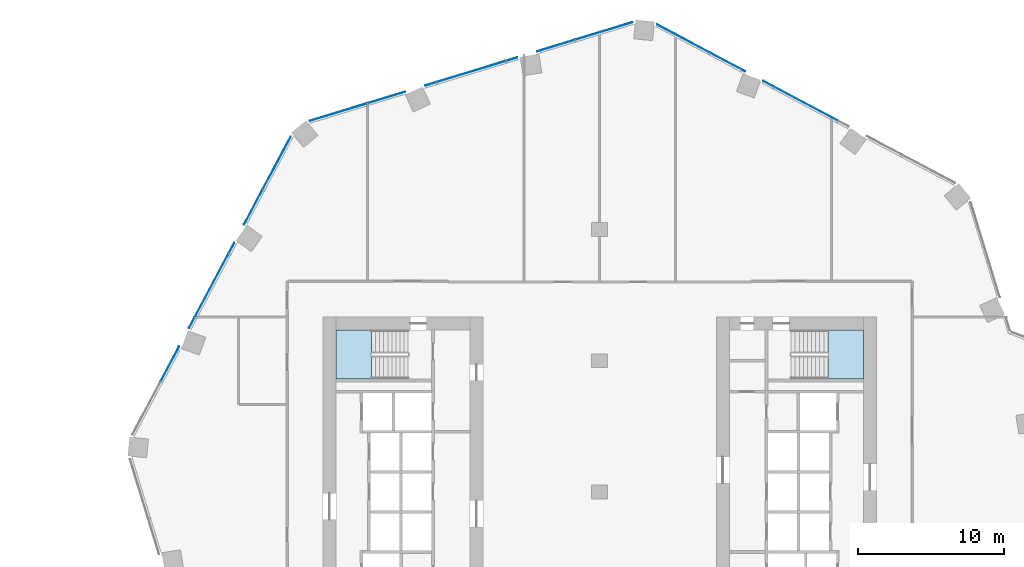
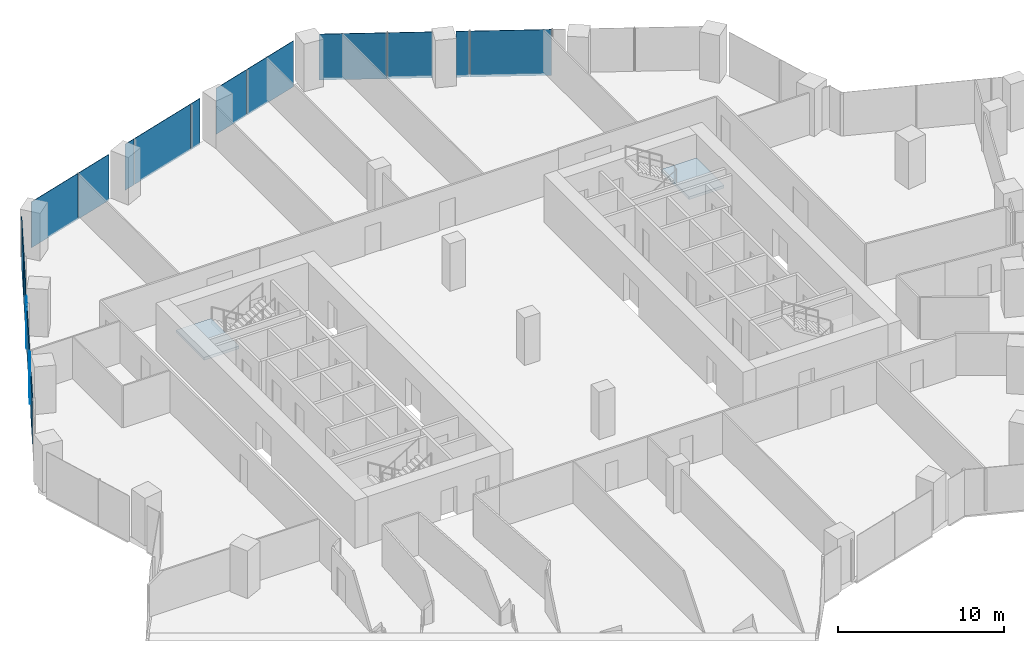
# One storey, part 21 of 31: 17 plates, 2 slabs, 5 elements without a shape of their own.
"""IFC4 building model written with IfcOpenShell, lengths in metres."""

from ifc_helpers import new_model, si_unit, direction, frame, origin, origin_2d, place, context, subcontext, project, spatial, polyline, rectangle, outline, extrude, material, layer, layer_set, type_object, element, aggregate, save


model = new_model("IFC4")

# Units and contexts
model_context = context("Model", 3, precision=1e-05, world=origin(), true_north=direction((0.0, 1.0)))
body_context = subcontext(model_context, "Body", "Model", "MODEL_VIEW")
ifc_project = project(units=[si_unit("LENGTHUNIT", "METRE"), si_unit("AREAUNIT", "SQUARE_METRE"), si_unit("VOLUMEUNIT", "CUBIC_METRE"), si_unit("PLANEANGLEUNIT", "RADIAN"), si_unit("MASSUNIT", "GRAM", prefix="KILO")], contexts=[model_context])

# Site, building, storey
site_placement = place(None, origin())
site = spatial("IfcSite", under=ifc_project, at=site_placement, CompositionType="ELEMENT")
building_placement = place(site_placement, origin())
building = spatial("IfcBuilding", under=site, at=building_placement, Name="Orlundy Tower", CompositionType="ELEMENT")
storey_placement = place(building_placement, frame((0.0, 0.0, 84.199951171875)))
storey = spatial("IfcBuildingStorey", under=building, at=storey_placement, Name="L20", CompositionType="ELEMENT", Elevation=84.199951171875)

# Curtain wall, plates
ifc_material_1 = material(Name="Aluminium bronze anodised", Category="aluminium")
curtain_wall_type = type_object("IfcCurtainWallType", Name="CW1 wall", PredefinedType="NOTDEFINED", material=ifc_material_1)
curtain_wall_1_placement = place(storey_placement, origin())
curtain_wall_1 = element("IfcCurtainWall", 1, at=curtain_wall_1_placement, inside=storey, type_object=curtain_wall_type, Name="CW1 run 02", PredefinedType="NOTDEFINED")
ifc_material_2 = material(Name="Tinted glass", Category="glass")
ifc_layer_1 = layer(ifc_material_2, 0.031982421875)
ifc_layer_set_1 = layer_set([ifc_layer_1], Name="CW1 glass panel 32")
plate_type = type_object("IfcPlateType", Name="CW1 glass panel 32", PredefinedType="CURTAIN_PANEL", material=ifc_layer_set_1)
plate_1_placement = place(storey_placement, frame((-29.489501953125, 8.788818359375, -0.27978515625), z_axis=(0.0, 0.0, 1.0), x_axis=(0.469445471129, 0.882961465544, 0.0)))
plate_1 = element("IfcPlate", 2, at=plate_1_placement, type_object=plate_type, Name="CW1 panel", PredefinedType="CURTAIN_PANEL", context=body_context, shape_type="SweptSolid", body=[
    extrude(rectangle(XDim=2.69287109375, YDim=0.031982421875, at=origin_2d()), origin(), (0.0, 0.0, 1.0), 3.3798828125),
])
plate_2_placement = place(storey_placement, frame((-27.998779296875, 11.593017578125, -0.27978515625), z_axis=(0.0, 0.0, 1.0), x_axis=(0.469445471129, 0.882961465544, 0.0)))
plate_2 = element("IfcPlate", 3, at=plate_2_placement, type_object=plate_type, Name="CW1 panel", PredefinedType="CURTAIN_PANEL", context=body_context, shape_type="SweptSolid", body=[
    extrude(rectangle(XDim=0.79638671875, YDim=0.031982421875, at=origin_2d()), origin(), (0.0, 0.0, 1.0), 3.3798828125),
])
plate_3_placement = place(storey_placement, frame((-26.63330078125, 14.160888671875, -0.27978515625), z_axis=(0.0, 0.0, 1.0), x_axis=(0.469445471129, 0.882961465544, 0.0)))
plate_3 = element("IfcPlate", 4, at=plate_3_placement, type_object=plate_type, Name="CW1 panel", PredefinedType="CURTAIN_PANEL", context=body_context, shape_type="SweptSolid", body=[
    extrude(rectangle(XDim=4.920654296875, YDim=0.031982421875, at=origin_2d()), origin(), (0.0, 0.0, 1.0), 3.3798828125),
])
plate_4_placement = place(storey_placement, frame((-25.267822265625, 16.729248046875, -0.27978515625), z_axis=(0.0, 0.0, 1.0), x_axis=(0.469445471129, 0.882961465544, 0.0)))
plate_4 = element("IfcPlate", 5, at=plate_4_placement, type_object=plate_type, Name="CW1 panel", PredefinedType="CURTAIN_PANEL", context=body_context, shape_type="SweptSolid", body=[
    extrude(rectangle(XDim=0.796875, YDim=0.031982421875, at=origin_2d()), origin(), (0.0, 0.0, 1.0), 3.3798828125),
])
plate_5_placement = place(storey_placement, frame((-23.776123046875, 19.534912109375, -0.27978515625), z_axis=(0.0, 0.0, 1.0), x_axis=(0.469445471129, 0.882961465544, 0.0)))
plate_5 = element("IfcPlate", 6, at=plate_5_placement, type_object=plate_type, Name="CW1 panel", PredefinedType="CURTAIN_PANEL", context=body_context, shape_type="SweptSolid", body=[
    extrude(rectangle(XDim=2.68896484375, YDim=0.031982421875, at=origin_2d()), origin(), (0.0, 0.0, 1.0), 3.3798828125),
])
plate_6_placement = place(storey_placement, frame((-22.160400390625, 22.57373046875, -0.27978515625), z_axis=(0.0, 0.0, 1.0), x_axis=(0.469445471129, 0.882961465544, 0.0)))
plate_6 = element("IfcPlate", 7, at=plate_6_placement, type_object=plate_type, Name="CW1 panel", PredefinedType="CURTAIN_PANEL", context=body_context, shape_type="SweptSolid", body=[
    extrude(rectangle(XDim=4.09423828125, YDim=0.031982421875, at=origin_2d()), origin(), (0.0, 0.0, 1.0), 3.3798828125),
])
aggregate(curtain_wall_1, [plate_1, plate_2, plate_3, plate_4, plate_5, plate_6])

curtain_wall_2_placement = place(storey_placement, origin())
curtain_wall_2 = element("IfcCurtainWall", 8, at=curtain_wall_2_placement, inside=storey, type_object=curtain_wall_type, Name="CW1 run 03", PredefinedType="NOTDEFINED")
plate_7_placement = place(storey_placement, frame((-17.930419921875, 26.060546875, -0.27978515625), z_axis=(0.0, 0.0, 1.0), x_axis=(0.956308143364, 0.292360624804, 0.0)))
plate_7 = element("IfcPlate", 9, at=plate_7_placement, type_object=plate_type, Name="CW1 panel", PredefinedType="CURTAIN_PANEL", context=body_context, shape_type="SweptSolid", body=[
    extrude(rectangle(XDim=4.092529296875, YDim=0.031982421875, at=origin_2d()), origin(), (0.0, 0.0, 1.0), 3.3798828125),
])
plate_8_placement = place(storey_placement, frame((-14.64111328125, 27.066162109375, -0.27978515625), z_axis=(0.0, 0.0, 1.0), x_axis=(0.956308143364, 0.292360624804, 0.0)))
plate_8 = element("IfcPlate", 10, at=plate_8_placement, type_object=plate_type, Name="CW1 panel", PredefinedType="CURTAIN_PANEL", context=body_context, shape_type="SweptSolid", body=[
    extrude(rectangle(XDim=2.686767578125, YDim=0.031982421875, at=origin_2d()), origin(), (0.0, 0.0, 1.0), 3.3798828125),
])
plate_9_placement = place(storey_placement, frame((-11.600830078125, 27.99560546875, -0.27978515625), z_axis=(0.0, 0.0, 1.0), x_axis=(0.956308143364, 0.292360624804, 0.0)))
plate_9 = element("IfcPlate", 11, at=plate_9_placement, type_object=plate_type, Name="CW1 panel", PredefinedType="CURTAIN_PANEL", context=body_context, shape_type="SweptSolid", body=[
    extrude(rectangle(XDim=0.796142578125, YDim=0.031982421875, at=origin_2d()), origin(), (0.0, 0.0, 1.0), 3.3798828125),
])
plate_10_placement = place(storey_placement, frame((-8.8193359375, 28.845947265625, -0.27978515625), z_axis=(0.0, 0.0, 1.0), x_axis=(0.956308143364, 0.292360624804, 0.0)))
plate_10 = element("IfcPlate", 12, at=plate_10_placement, type_object=plate_type, Name="CW1 panel", PredefinedType="CURTAIN_PANEL", context=body_context, shape_type="SweptSolid", body=[
    extrude(rectangle(XDim=4.920654296875, YDim=0.031982421875, at=origin_2d()), origin(), (0.0, 0.0, 1.0), 3.3798828125),
])
plate_11_placement = place(storey_placement, frame((-6.037841796875, 29.6962890625, -0.27978515625), z_axis=(0.0, 0.0, 1.0), x_axis=(0.956308143364, 0.292360624804, 0.0)))
plate_11 = element("IfcPlate", 13, at=plate_11_placement, type_object=plate_type, Name="CW1 panel", PredefinedType="CURTAIN_PANEL", context=body_context, shape_type="SweptSolid", body=[
    extrude(rectangle(XDim=0.796630859375, YDim=0.031982421875, at=origin_2d()), origin(), (0.0, 0.0, 1.0), 3.3798828125),
])
plate_12_placement = place(storey_placement, frame((-2.999755859375, 30.625, -0.27978515625), z_axis=(0.0, 0.0, 1.0), x_axis=(0.956308143364, 0.292360624804, 0.0)))
plate_12 = element("IfcPlate", 14, at=plate_12_placement, type_object=plate_type, Name="CW1 panel", PredefinedType="CURTAIN_PANEL", context=body_context, shape_type="SweptSolid", body=[
    extrude(rectangle(XDim=2.6904296875, YDim=0.031982421875, at=origin_2d()), origin(), (0.0, 0.0, 1.0), 3.3798828125),
])
plate_13_placement = place(storey_placement, frame((0.2919921875, 31.63134765625, -0.27978515625), z_axis=(0.0, 0.0, 1.0), x_axis=(0.956308143364, 0.292360624804, 0.0)))
plate_13 = element("IfcPlate", 15, at=plate_13_placement, type_object=plate_type, Name="CW1 panel", PredefinedType="CURTAIN_PANEL", context=body_context, shape_type="SweptSolid", body=[
    extrude(rectangle(XDim=4.09375, YDim=0.031982421875, at=origin_2d()), origin(), (0.0, 0.0, 1.0), 3.3798828125),
])
aggregate(curtain_wall_2, [plate_7, plate_8, plate_9, plate_10, plate_11, plate_12, plate_13])

curtain_wall_3_placement = place(storey_placement, origin())
curtain_wall_3 = element("IfcCurtainWall", 16, at=curtain_wall_3_placement, inside=storey, type_object=curtain_wall_type, Name="CW1 run 04", PredefinedType="NOTDEFINED")
plate_14_placement = place(storey_placement, frame((5.74853515625, 31.10595703125, -0.27978515625), z_axis=(0.0, 0.0, 1.0), x_axis=(0.882961465544, -0.469445471129, 0.0)))
plate_14 = element("IfcPlate", 17, at=plate_14_placement, type_object=plate_type, Name="CW1 panel", PredefinedType="CURTAIN_PANEL", context=body_context, shape_type="SweptSolid", body=[
    extrude(rectangle(XDim=4.09326171875, YDim=0.031982421875, at=origin_2d()), origin(), (0.0, 0.0, 1.0), 3.3798828125),
])
plate_15_placement = place(storey_placement, frame((8.788818359375, 29.489501953125, -0.27978515625), z_axis=(0.0, 0.0, 1.0), x_axis=(0.882961465544, -0.469445471129, 0.0)))
plate_15 = element("IfcPlate", 18, at=plate_15_placement, type_object=plate_type, Name="CW1 panel", PredefinedType="CURTAIN_PANEL", context=body_context, shape_type="SweptSolid", body=[
    extrude(rectangle(XDim=2.69287109375, YDim=0.031982421875, at=origin_2d()), origin(), (0.0, 0.0, 1.0), 3.3798828125),
])
plate_16_placement = place(storey_placement, frame((11.593017578125, 27.998779296875, -0.27978515625), z_axis=(0.0, 0.0, 1.0), x_axis=(0.882961465544, -0.469445471129, 0.0)))
plate_16 = element("IfcPlate", 19, at=plate_16_placement, type_object=plate_type, Name="CW1 panel", PredefinedType="CURTAIN_PANEL", context=body_context, shape_type="SweptSolid", body=[
    extrude(rectangle(XDim=0.79638671875, YDim=0.031982421875, at=origin_2d()), origin(), (0.0, 0.0, 1.0), 3.3798828125),
])
plate_17_placement = place(storey_placement, frame((14.160888671875, 26.63330078125, -0.27978515625), z_axis=(0.0, 0.0, 1.0), x_axis=(0.882961465544, -0.469445471129, 0.0)))
plate_17 = element("IfcPlate", 20, at=plate_17_placement, type_object=plate_type, Name="CW1 panel", PredefinedType="CURTAIN_PANEL", context=body_context, shape_type="SweptSolid", body=[
    extrude(rectangle(XDim=4.920654296875, YDim=0.031982421875, at=origin_2d()), origin(), (0.0, 0.0, 1.0), 3.3798828125),
])
aggregate(curtain_wall_3, [plate_14, plate_15, plate_16, plate_17])

# Stair, slab
ifc_material_3 = material(Name="Concrete C50/60", Category="concrete")
stair_type = type_object("IfcStairType", Name="Exit Stair 20 risers", PredefinedType="HALF_TURN_STAIR", material=ifc_material_3)
stair_1_placement = place(storey_placement, origin())
stair_1 = element("IfcStair", 21, at=stair_1_placement, inside=storey, type_object=stair_type, Name="L20 Exit Stair ST-W1", PredefinedType="HALF_TURN_STAIR")
ifc_material_4 = material(Name="Concrete C50/60", Category="concrete")
ifc_layer_2 = layer(ifc_material_4, 0.199951171875)
ifc_layer_set_2 = layer_set([ifc_layer_2], Name="Exit Stair Landing")
slab_type = type_object("IfcSlabType", Name="Exit Stair Landing", PredefinedType="LANDING", material=ifc_layer_set_2)
slab_1_placement = place(storey_placement, frame((0.0, 0.0, 1.550048828125)))
slab_1 = element("IfcSlab", 22, at=slab_1_placement, type_object=slab_type, Name="ST-W1 landing 1", PredefinedType="LANDING", context=body_context, shape_type="SweptSolid", body=[
    extrude(outline(polyline([(-15.659912109375, 11.10009765625), (-18.10009765625, 11.10009765625), (-18.10009765625, 7.75), (-15.659912109375, 7.75), (-15.659912109375, 11.10009765625)])), origin(), (0.0, 0.0, 1.0), 0.199951171875),
])
aggregate(stair_1, [slab_1])

stair_2_placement = place(storey_placement, origin())
stair_2 = element("IfcStair", 23, at=stair_2_placement, inside=storey, type_object=stair_type, Name="L20 Exit Stair ST-E2", PredefinedType="HALF_TURN_STAIR")
slab_2_placement = place(storey_placement, frame((0.0, 0.0, 1.550048828125)))
slab_2 = element("IfcSlab", 24, at=slab_2_placement, type_object=slab_type, Name="ST-E2 landing 1", PredefinedType="LANDING", context=body_context, shape_type="SweptSolid", body=[
    extrude(outline(polyline([(15.659912109375, 7.75), (18.10009765625, 7.75), (18.10009765625, 11.10009765625), (15.659912109375, 11.10009765625), (15.659912109375, 7.75)])), origin(), (0.0, 0.0, 1.0), 0.199951171875),
])
aggregate(stair_2, [slab_2])

save(model, "model.ifc")
